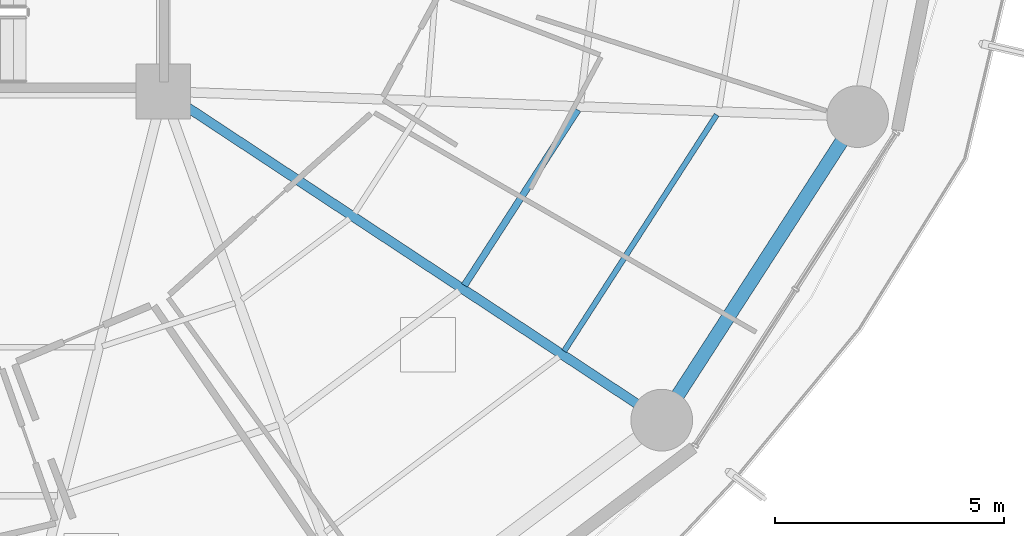
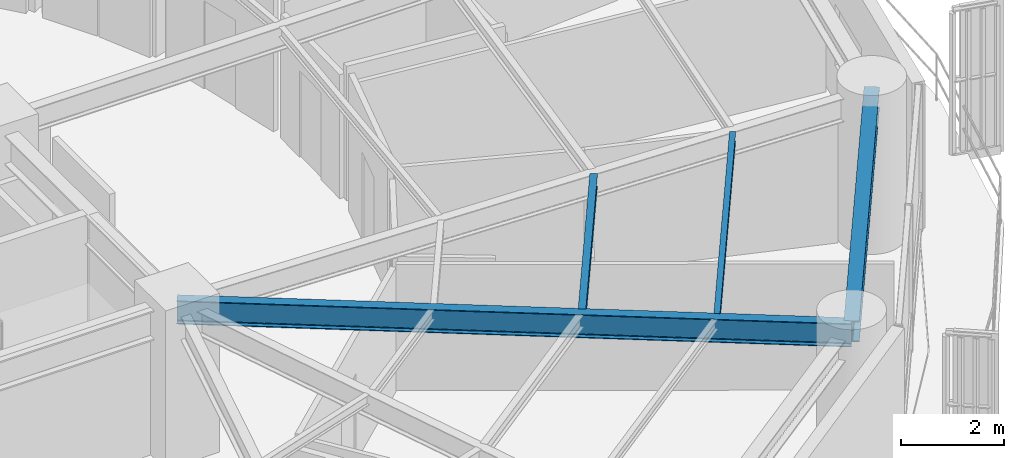
# One storey, part 13 of 37: 4 beams.
"""IFC4 building model written with IfcOpenShell, lengths in metres."""

from ifc_helpers import new_model, si_unit, direction, frame, origin, origin_2d, place, context, subcontext, project, spatial, i_section, extrude, material, material_profile, profile_set, type_object, element, save


model = new_model("IFC4")

# Units and contexts
model_context = context("Model", 3, precision=1e-05, world=origin(), true_north=direction((0.0, 1.0)))
body_context = subcontext(model_context, "Body", "Model", "MODEL_VIEW")
ifc_project = project(units=[si_unit("LENGTHUNIT", "METRE"), si_unit("AREAUNIT", "SQUARE_METRE"), si_unit("VOLUMEUNIT", "CUBIC_METRE"), si_unit("PLANEANGLEUNIT", "RADIAN"), si_unit("MASSUNIT", "GRAM", prefix="KILO")], contexts=[model_context])

# Site, building, storey
site_placement = place(None, origin())
site = spatial("IfcSite", under=ifc_project, at=site_placement, CompositionType="ELEMENT")
building_placement = place(site_placement, origin())
building = spatial("IfcBuilding", under=site, at=building_placement, Name="Kelanora Arch Commons", CompositionType="ELEMENT")
storey_placement = place(building_placement, frame((0.0, 0.0, 113.85009765625)))
storey = spatial("IfcBuildingStorey", under=building, at=storey_placement, Name="L29", CompositionType="ELEMENT", Elevation=113.85009765625)

# Beams
ifc_material = material(Name="Steel S355", Category="steel")
ifc_material_profile_1 = material_profile(ifc_material, i_section(OverallWidth=0.14990234375, OverallDepth=0.300048828125, WebThickness=0.007080078125, FlangeThickness=0.0107421875, FilletRadius=0.014892578125, at=origin_2d()), Name="IPE300")
ifc_profile_set_1 = profile_set([ifc_material_profile_1], Name="Steel S355")
beam_type_1 = type_object("IfcBeamType", Name="BM-JST-01", PredefinedType="JOIST", material=ifc_profile_set_1)
beam_1_placement = place(storey_placement, frame((88.589599609375, 46.755615234375, 3.33984375), z_axis=(0.542230243286, 0.840229946661, 0.0), x_axis=(-0.840229946661, 0.542230243286, 0.0)))
element("IfcBeam", 1, at=beam_1_placement, inside=storey, type_object=beam_type_1, Name="Secondary Chord Joist BJB-32 L29", PredefinedType="JOIST", context=body_context, shape_type="SweptSolid", body=[
    extrude(i_section(OverallWidth=0.14990234375, OverallDepth=0.300048828125, WebThickness=0.007080078125, FlangeThickness=0.0107421875, FilletRadius=0.014892578125, at=origin_2d()), origin(), (0.0, 0.0, 1.0), 4.572265625),
])
ifc_material_profile_2 = material_profile(ifc_material, i_section(OverallWidth=0.1201171875, OverallDepth=0.239990234375, WebThickness=0.006103515625, FlangeThickness=0.009765625, FilletRadius=0.014892578125, at=origin_2d()), Name="IPE240")
ifc_profile_set_2 = profile_set([ifc_material_profile_2], Name="Steel S355")
beam_type_2 = type_object("IfcBeamType", Name="BM-JST-02", PredefinedType="JOIST", material=ifc_profile_set_2)
beam_2_placement = place(storey_placement, frame((90.77099609375, 45.317138671875, 3.369873046875), z_axis=(0.542212726273, 0.840241250754, 0.0), x_axis=(-0.840241250754, 0.542212726273, 0.0)))
element("IfcBeam", 2, at=beam_2_placement, inside=storey, type_object=beam_type_2, Name="Secondary Chord Joist BJC-32 L29", PredefinedType="JOIST", context=body_context, shape_type="SweptSolid", body=[
    extrude(i_section(OverallWidth=0.1201171875, OverallDepth=0.239990234375, WebThickness=0.006103515625, FlangeThickness=0.009765625, FilletRadius=0.014892578125, at=origin_2d()), origin(), (0.0, 0.0, 1.0), 6.15283203125),
])
ifc_material_profile_3 = material_profile(ifc_material, i_section(OverallWidth=0.2099609375, OverallDepth=0.550048828125, WebThickness=0.010986328125, FlangeThickness=0.01708984375, FilletRadius=0.02392578125, at=origin_2d()), Name="IPE550")
ifc_profile_set_3 = profile_set([ifc_material_profile_3], Name="Steel S355")
beam_type_3 = type_object("IfcBeamType", Name="BM-RAD-Z2", PredefinedType="BEAM", material=ifc_profile_set_3)
beam_3_placement = place(storey_placement, frame((82.0, 51.0, 3.21484375), z_axis=(0.834788577908, -0.550570640512, 0.0), x_axis=(0.550570640512, 0.834788577908, 0.0)))
element("IfcBeam", 3, at=beam_3_placement, inside=storey, type_object=beam_type_3, Name="Radial Floor Girder BR-32 L29", PredefinedType="BEAM", context=body_context, shape_type="SweptSolid", body=[
    extrude(i_section(OverallWidth=0.2099609375, OverallDepth=0.550048828125, WebThickness=0.010986328125, FlangeThickness=0.01708984375, FilletRadius=0.02392578125, at=origin_2d()), origin(), (0.0, 0.0, 1.0), 13.064453125),
])
ifc_material_profile_4 = material_profile(ifc_material, i_section(OverallWidth=0.300048828125, OverallDepth=0.5, WebThickness=0.014404296875, FlangeThickness=0.028076171875, FilletRadius=0.027099609375, at=origin_2d()), Name="HEB500")
ifc_profile_set_4 = profile_set([ifc_material_profile_4], Name="Steel S355")
beam_type_4 = type_object("IfcBeamType", Name="BM-SPN-Z2", PredefinedType="SPANDREL", material=ifc_profile_set_4)
beam_4_placement = place(storey_placement, frame((92.906005859375, 43.80712890625, 3.239990234375), z_axis=(0.542221144054, 0.840235818649, 0.0), x_axis=(-0.840235818649, 0.542221144054, 0.0)))
element("IfcBeam", 4, at=beam_4_placement, inside=storey, type_object=beam_type_4, Name="Perimeter Spandrel Beam BS-32 L29", PredefinedType="SPANDREL", context=body_context, shape_type="SweptSolid", body=[
    extrude(i_section(OverallWidth=0.300048828125, OverallDepth=0.5, WebThickness=0.014404296875, FlangeThickness=0.028076171875, FilletRadius=0.027099609375, at=origin_2d()), origin(), (0.0, 0.0, 1.0), 7.90380859375),
])

save(model, "model.ifc")
